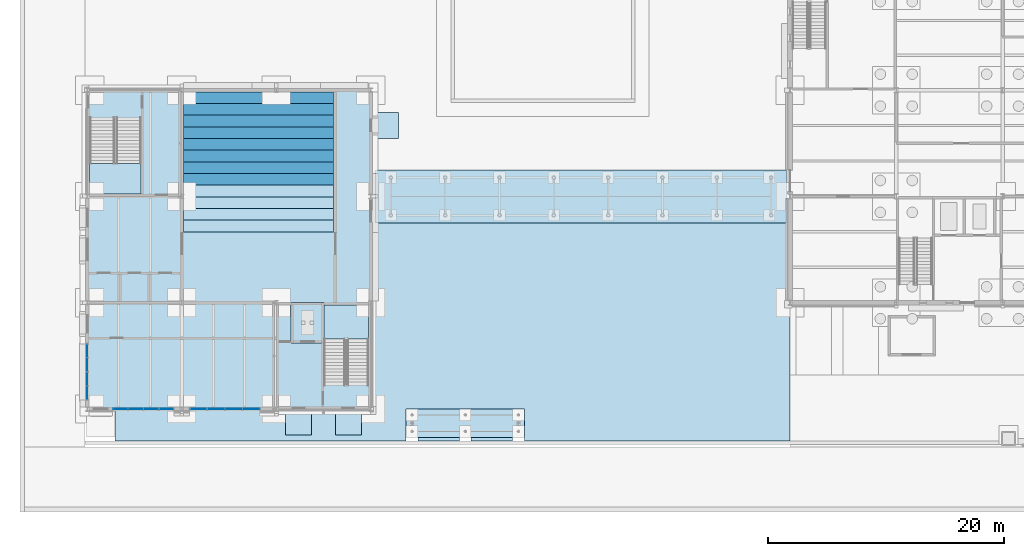
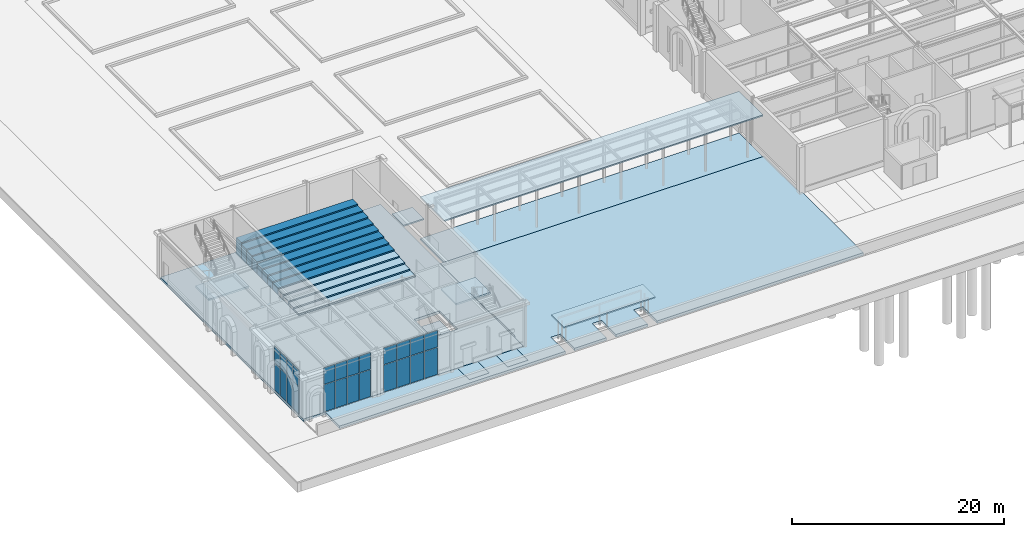
# One storey, part 58 of 126: 24 plates, 23 slabs, 5 elements without a shape of their own.
"""IFC4 building model written with IfcOpenShell, lengths in metres."""

from ifc_helpers import new_model, si_unit, direction, frame, origin, origin_2d, place, context, subcontext, project, spatial, polyline, rectangle, outline, extrude, material, layer, layer_set, type_object, element, aggregate, save


model = new_model("IFC4")

# Units and contexts
model_context = context("Model", 3, precision=1e-05, world=origin(), true_north=direction((0.0, 1.0)))
body_context = subcontext(model_context, "Body", "Model", "MODEL_VIEW")
ifc_project = project(units=[si_unit("LENGTHUNIT", "METRE"), si_unit("AREAUNIT", "SQUARE_METRE"), si_unit("VOLUMEUNIT", "CUBIC_METRE"), si_unit("PLANEANGLEUNIT", "RADIAN"), si_unit("MASSUNIT", "GRAM", prefix="KILO")], contexts=[model_context])

# Site, building, storey
site_placement = place(None, origin())
site = spatial("IfcSite", under=ifc_project, at=site_placement, CompositionType="ELEMENT")
building_placement = place(site_placement, origin())
building = spatial("IfcBuilding", under=site, at=building_placement, Name="Kallimachos Central Library", CompositionType="ELEMENT")
storey_placement = place(building_placement, origin())
storey = spatial("IfcBuildingStorey", under=building, at=storey_placement, Name="L00", CompositionType="ELEMENT", Elevation=0.0)

# Slabs
ifc_material_1 = material(Name="Composite slab C30/37 on steel deck", Category="concrete")
ifc_layer_1 = layer(ifc_material_1, 0.14990234375)
ifc_layer_set_1 = layer_set([ifc_layer_1], Name="Arcade roof slab 150")
slab_type_1 = type_object("IfcSlabType", Name="Arcade roof slab 150", PredefinedType="ROOF", material=ifc_layer_set_1)
slab_1_placement = place(storey_placement, frame((0.0, 0.0, 4.64990234375)))
element("IfcSlab", 1, at=slab_1_placement, inside=storey, type_object=slab_type_1, Name="Arcade A3 roof", PredefinedType="ROOF", context=body_context, shape_type="SweptSolid", body=[
    extrude(outline(polyline([(30.39990234375, 24.75), (65.199951171875, 24.75), (65.199951171875, 29.25), (30.39990234375, 29.25), (30.39990234375, 24.75)])), origin(), (0.0, 0.0, 1.0), 0.150146484375),
])
ifc_material_2 = material(Name="Composite slab C30/37 on steel deck", Category="concrete")
ifc_layer_2 = layer(ifc_material_2, 0.14990234375)
ifc_layer_set_2 = layer_set([ifc_layer_2], Name="Cycle shelter roof 150")
slab_type_2 = type_object("IfcSlabType", Name="Cycle shelter roof 150", PredefinedType="ROOF", material=ifc_layer_set_2)
slab_2_placement = place(storey_placement, frame((0.0, 0.0, 2.449951171875)))
element("IfcSlab", 2, at=slab_2_placement, inside=storey, type_object=slab_type_2, Name="Cycle shelter roof", PredefinedType="ROOF", context=body_context, shape_type="SweptSolid", body=[
    extrude(outline(polyline([(33.0, 6.60009765625), (43.0, 6.60009765625), (43.0, 9.0), (33.0, 9.0), (33.0, 6.60009765625)])), origin(), (0.0, 0.0, 1.0), 0.150146484375),
])
ifc_material_3 = material(Name="Concrete C30/37", Category="concrete")
ifc_layer_3 = layer(ifc_material_3, 0.300048828125)
ifc_layer_set_3 = layer_set([ifc_layer_3], Name="Ground floor slab 300")
slab_type_3 = type_object("IfcSlabType", Name="Ground floor slab 300", PredefinedType="BASESLAB", material=ifc_layer_set_3)
slab_3_placement = place(storey_placement, frame((0.0, 0.0, -0.300048828125)))
element("IfcSlab", 3, at=slab_3_placement, inside=storey, type_object=slab_type_3, Name="V6-SLB-L00-002", PredefinedType="BASESLAB", context=body_context, shape_type="SweptSolid", body=[
    extrude(outline(polyline([(30.0, 36.0), (30.0, 9.0), (6.0, 9.0), (6.0, 36.0), (30.0, 36.0)]), holes=[polyline([(26.050048828125, 18.0), (23.25, 18.0), (23.25, 14.60009765625), (26.050048828125, 14.60009765625), (26.050048828125, 18.0)]), polyline([(14.14990234375, 35.85009765625), (14.14990234375, 24.0), (26.85009765625, 24.0), (26.85009765625, 35.85009765625), (14.14990234375, 35.85009765625)])]), origin(), (0.0, 0.0, 1.0), 0.300048828125),
])
ifc_material_4 = material(Name="Concrete C30/37", Category="concrete")
ifc_layer_4 = layer(ifc_material_4, 1.050048828125)
ifc_layer_set_4 = layer_set([ifc_layer_4], Name="Hall tier slab 1050")
slab_type_4 = type_object("IfcSlabType", Name="Hall tier slab 1050", PredefinedType="BASESLAB", material=ifc_layer_set_4)
slab_4_placement = place(storey_placement, frame((0.0, 0.0, -0.300048828125)))
element("IfcSlab", 4, at=slab_4_placement, inside=storey, type_object=slab_type_4, Name="Hall tier 5", PredefinedType="BASESLAB", context=body_context, shape_type="SweptSolid", body=[
    extrude(outline(polyline([(14.14990234375, 27.949951171875), (26.85009765625, 27.949951171875), (26.85009765625, 28.9375), (14.14990234375, 28.9375), (14.14990234375, 27.949951171875)])), origin(), (0.0, 0.0, 1.0), 1.050048828125),
])
ifc_material_5 = material(Name="Concrete C30/37", Category="concrete")
ifc_layer_5 = layer(ifc_material_5, 1.199951171875)
ifc_layer_set_5 = layer_set([ifc_layer_5], Name="Hall tier slab 1200")
slab_type_5 = type_object("IfcSlabType", Name="Hall tier slab 1200", PredefinedType="BASESLAB", material=ifc_layer_set_5)
slab_5_placement = place(storey_placement, frame((0.0, 0.0, -0.300048828125)))
element("IfcSlab", 5, at=slab_5_placement, inside=storey, type_object=slab_type_5, Name="Hall tier 6", PredefinedType="BASESLAB", context=body_context, shape_type="SweptSolid", body=[
    extrude(outline(polyline([(14.14990234375, 28.9375), (26.85009765625, 28.9375), (26.85009765625, 29.925048828125), (14.14990234375, 29.925048828125), (14.14990234375, 28.9375)])), origin(), (0.0, 0.0, 1.0), 1.199951171875),
])
ifc_material_6 = material(Name="Concrete C30/37", Category="concrete")
ifc_layer_6 = layer(ifc_material_6, 1.35009765625)
ifc_layer_set_6 = layer_set([ifc_layer_6], Name="Hall tier slab 1350")
slab_type_6 = type_object("IfcSlabType", Name="Hall tier slab 1350", PredefinedType="BASESLAB", material=ifc_layer_set_6)
slab_6_placement = place(storey_placement, frame((0.0, 0.0, -0.300048828125)))
element("IfcSlab", 6, at=slab_6_placement, inside=storey, type_object=slab_type_6, Name="Hall tier 7", PredefinedType="BASESLAB", context=body_context, shape_type="SweptSolid", body=[
    extrude(outline(polyline([(14.14990234375, 29.925048828125), (26.85009765625, 29.925048828125), (26.85009765625, 30.91259765625), (14.14990234375, 30.91259765625), (14.14990234375, 29.925048828125)])), origin(), (0.0, 0.0, 1.0), 1.35009765625),
])
ifc_material_7 = material(Name="Concrete C30/37", Category="concrete")
ifc_layer_7 = layer(ifc_material_7, 1.5)
ifc_layer_set_7 = layer_set([ifc_layer_7], Name="Hall tier slab 1500")
slab_type_7 = type_object("IfcSlabType", Name="Hall tier slab 1500", PredefinedType="BASESLAB", material=ifc_layer_set_7)
slab_7_placement = place(storey_placement, frame((0.0, 0.0, -0.300048828125)))
element("IfcSlab", 7, at=slab_7_placement, inside=storey, type_object=slab_type_7, Name="Hall tier 8", PredefinedType="BASESLAB", context=body_context, shape_type="SweptSolid", body=[
    extrude(outline(polyline([(14.14990234375, 30.91259765625), (26.85009765625, 30.91259765625), (26.85009765625, 31.89990234375), (14.14990234375, 31.89990234375), (14.14990234375, 30.91259765625)])), origin(), (0.0, 0.0, 1.0), 1.5),
])
ifc_material_8 = material(Name="Concrete C30/37", Category="concrete")
ifc_layer_8 = layer(ifc_material_8, 1.64990234375)
ifc_layer_set_8 = layer_set([ifc_layer_8], Name="Hall tier slab 1650")
slab_type_8 = type_object("IfcSlabType", Name="Hall tier slab 1650", PredefinedType="BASESLAB", material=ifc_layer_set_8)
slab_8_placement = place(storey_placement, frame((0.0, 0.0, -0.300048828125)))
element("IfcSlab", 8, at=slab_8_placement, inside=storey, type_object=slab_type_8, Name="Hall tier 9", PredefinedType="BASESLAB", context=body_context, shape_type="SweptSolid", body=[
    extrude(outline(polyline([(14.14990234375, 31.89990234375), (26.85009765625, 31.89990234375), (26.85009765625, 32.887451171875), (14.14990234375, 32.887451171875), (14.14990234375, 31.89990234375)])), origin(), (0.0, 0.0, 1.0), 1.650146484375),
])
ifc_material_9 = material(Name="Concrete C30/37", Category="concrete")
ifc_layer_9 = layer(ifc_material_9, 1.800048828125)
ifc_layer_set_9 = layer_set([ifc_layer_9], Name="Hall tier slab 1800")
slab_type_9 = type_object("IfcSlabType", Name="Hall tier slab 1800", PredefinedType="BASESLAB", material=ifc_layer_set_9)
slab_9_placement = place(storey_placement, frame((0.0, 0.0, -0.300048828125)))
element("IfcSlab", 9, at=slab_9_placement, inside=storey, type_object=slab_type_9, Name="Hall tier 10", PredefinedType="BASESLAB", context=body_context, shape_type="SweptSolid", body=[
    extrude(outline(polyline([(14.14990234375, 32.887451171875), (26.85009765625, 32.887451171875), (26.85009765625, 33.875), (14.14990234375, 33.875), (14.14990234375, 32.887451171875)])), origin(), (0.0, 0.0, 1.0), 1.800048828125),
])
ifc_material_10 = material(Name="Concrete C30/37", Category="concrete")
ifc_layer_10 = layer(ifc_material_10, 1.949951171875)
ifc_layer_set_10 = layer_set([ifc_layer_10], Name="Hall tier slab 1950")
slab_type_10 = type_object("IfcSlabType", Name="Hall tier slab 1950", PredefinedType="BASESLAB", material=ifc_layer_set_10)
slab_10_placement = place(storey_placement, frame((0.0, 0.0, -0.300048828125)))
element("IfcSlab", 10, at=slab_10_placement, inside=storey, type_object=slab_type_10, Name="Hall tier 11", PredefinedType="BASESLAB", context=body_context, shape_type="SweptSolid", body=[
    extrude(outline(polyline([(14.14990234375, 33.875), (26.85009765625, 33.875), (26.85009765625, 34.862548828125), (14.14990234375, 34.862548828125), (14.14990234375, 33.875)])), origin(), (0.0, 0.0, 1.0), 1.949951171875),
])
ifc_material_11 = material(Name="Concrete C30/37", Category="concrete")
ifc_layer_11 = layer(ifc_material_11, 2.10009765625)
ifc_layer_set_11 = layer_set([ifc_layer_11], Name="Hall tier slab 2100")
slab_type_11 = type_object("IfcSlabType", Name="Hall tier slab 2100", PredefinedType="BASESLAB", material=ifc_layer_set_11)
slab_11_placement = place(storey_placement, frame((0.0, 0.0, -0.300048828125)))
element("IfcSlab", 11, at=slab_11_placement, inside=storey, type_object=slab_type_11, Name="Hall tier 12", PredefinedType="BASESLAB", context=body_context, shape_type="SweptSolid", body=[
    extrude(outline(polyline([(14.14990234375, 34.862548828125), (26.85009765625, 34.862548828125), (26.85009765625, 35.85009765625), (14.14990234375, 35.85009765625), (14.14990234375, 34.862548828125)])), origin(), (0.0, 0.0, 1.0), 2.10009765625),
])
ifc_material_12 = material(Name="Concrete C30/37", Category="concrete")
ifc_layer_12 = layer(ifc_material_12, 0.449951171875)
ifc_layer_set_12 = layer_set([ifc_layer_12], Name="Hall tier slab 450")
slab_type_12 = type_object("IfcSlabType", Name="Hall tier slab 450", PredefinedType="BASESLAB", material=ifc_layer_set_12)
slab_12_placement = place(storey_placement, frame((0.0, 0.0, -0.300048828125)))
element("IfcSlab", 12, at=slab_12_placement, inside=storey, type_object=slab_type_12, Name="Hall tier 1", PredefinedType="BASESLAB", context=body_context, shape_type="SweptSolid", body=[
    extrude(outline(polyline([(14.14990234375, 24.0), (26.85009765625, 24.0), (26.85009765625, 24.987548828125), (14.14990234375, 24.987548828125), (14.14990234375, 24.0)])), origin(), (0.0, 0.0, 1.0), 0.449951171875),
])
ifc_material_13 = material(Name="Concrete C30/37", Category="concrete")
ifc_layer_13 = layer(ifc_material_13, 0.60009765625)
ifc_layer_set_13 = layer_set([ifc_layer_13], Name="Hall tier slab 600")
slab_type_13 = type_object("IfcSlabType", Name="Hall tier slab 600", PredefinedType="BASESLAB", material=ifc_layer_set_13)
slab_13_placement = place(storey_placement, frame((0.0, 0.0, -0.300048828125)))
element("IfcSlab", 13, at=slab_13_placement, inside=storey, type_object=slab_type_13, Name="Hall tier 2", PredefinedType="BASESLAB", context=body_context, shape_type="SweptSolid", body=[
    extrude(outline(polyline([(14.14990234375, 24.987548828125), (26.85009765625, 24.987548828125), (26.85009765625, 25.97509765625), (14.14990234375, 25.97509765625), (14.14990234375, 24.987548828125)])), origin(), (0.0, 0.0, 1.0), 0.60009765625),
])
ifc_material_14 = material(Name="Concrete C30/37", Category="concrete")
ifc_layer_14 = layer(ifc_material_14, 0.75)
ifc_layer_set_14 = layer_set([ifc_layer_14], Name="Hall tier slab 750")
slab_type_14 = type_object("IfcSlabType", Name="Hall tier slab 750", PredefinedType="BASESLAB", material=ifc_layer_set_14)
slab_14_placement = place(storey_placement, frame((0.0, 0.0, -0.300048828125)))
element("IfcSlab", 14, at=slab_14_placement, inside=storey, type_object=slab_type_14, Name="Hall tier 3", PredefinedType="BASESLAB", context=body_context, shape_type="SweptSolid", body=[
    extrude(outline(polyline([(14.14990234375, 25.97509765625), (26.85009765625, 25.97509765625), (26.85009765625, 26.96240234375), (14.14990234375, 26.96240234375), (14.14990234375, 25.97509765625)])), origin(), (0.0, 0.0, 1.0), 0.75),
])
ifc_material_15 = material(Name="Concrete C30/37", Category="concrete")
ifc_layer_15 = layer(ifc_material_15, 0.89990234375)
ifc_layer_set_15 = layer_set([ifc_layer_15], Name="Hall tier slab 900")
slab_type_15 = type_object("IfcSlabType", Name="Hall tier slab 900", PredefinedType="BASESLAB", material=ifc_layer_set_15)
slab_15_placement = place(storey_placement, frame((0.0, 0.0, -0.300048828125)))
element("IfcSlab", 15, at=slab_15_placement, inside=storey, type_object=slab_type_15, Name="Hall tier 4", PredefinedType="BASESLAB", context=body_context, shape_type="SweptSolid", body=[
    extrude(outline(polyline([(14.14990234375, 26.96240234375), (26.85009765625, 26.96240234375), (26.85009765625, 27.949951171875), (14.14990234375, 27.949951171875), (14.14990234375, 26.96240234375)])), origin(), (0.0, 0.0, 1.0), 0.900146484375),
])

# Curtain wall, plates
ifc_material_16 = material(Name="Aluminium and laminated glass", Category="aluminium")
curtain_wall_type = type_object("IfcCurtainWallType", Name="Shopfront curtain wall", PredefinedType="NOTDEFINED", material=ifc_material_16)
curtain_wall_1_placement = place(storey_placement, origin())
curtain_wall_1 = element("IfcCurtainWall", 16, at=curtain_wall_1_placement, inside=storey, type_object=curtain_wall_type, Name="V6-CWL-L00-001", PredefinedType="NOTDEFINED")
ifc_material_17 = material(Name="Laminated glass", Category="glass")
ifc_layer_16 = layer(ifc_material_17, 0.028076171875)
ifc_layer_set_16 = layer_set([ifc_layer_16], Name="Laminated glass panel 28")
plate_type = type_object("IfcPlateType", Name="Laminated glass panel 28", PredefinedType="CURTAIN_PANEL", material=ifc_layer_set_16)
plate_1_placement = place(storey_placement, frame((8.81494140625, 9.0, 0.06005859375), z_axis=(0.0, 0.0, 1.0), x_axis=(1.0, 0.0, 0.0)))
plate_1 = element("IfcPlate", 17, at=plate_1_placement, type_object=plate_type, Name="CW panel 1.1", PredefinedType="CURTAIN_PANEL", context=body_context, shape_type="SweptSolid", body=[
    extrude(rectangle(XDim=1.2099609375, YDim=0.028076171875, at=origin_2d()), origin(), (0.0, 0.0, 1.0), 3.110107421875),
])
plate_2_placement = place(storey_placement, frame((8.81494140625, 9.0, 3.22998046875), z_axis=(0.0, 0.0, 1.0), x_axis=(1.0, 0.0, 0.0)))
plate_2 = element("IfcPlate", 18, at=plate_2_placement, type_object=plate_type, Name="CW panel 1.2", PredefinedType="CURTAIN_PANEL", context=body_context, shape_type="SweptSolid", body=[
    extrude(rectangle(XDim=1.2099609375, YDim=0.028076171875, at=origin_2d()), origin(), (0.0, 0.0, 1.0), 1.909912109375),
])
plate_3_placement = place(storey_placement, frame((10.10009765625, 9.0, 0.06005859375), z_axis=(0.0, 0.0, 1.0), x_axis=(1.0, 0.0, 0.0)))
plate_3 = element("IfcPlate", 19, at=plate_3_placement, type_object=plate_type, Name="CW panel 2.1", PredefinedType="CURTAIN_PANEL", context=body_context, shape_type="SweptSolid", body=[
    extrude(rectangle(XDim=1.239990234375, YDim=0.028076171875, at=origin_2d()), origin(), (0.0, 0.0, 1.0), 3.110107421875),
])
plate_4_placement = place(storey_placement, frame((10.10009765625, 9.0, 3.22998046875), z_axis=(0.0, 0.0, 1.0), x_axis=(1.0, 0.0, 0.0)))
plate_4 = element("IfcPlate", 20, at=plate_4_placement, type_object=plate_type, Name="CW panel 2.2", PredefinedType="CURTAIN_PANEL", context=body_context, shape_type="SweptSolid", body=[
    extrude(rectangle(XDim=1.239990234375, YDim=0.028076171875, at=origin_2d()), origin(), (0.0, 0.0, 1.0), 1.909912109375),
])
plate_5_placement = place(storey_placement, frame((11.39990234375, 9.0, 0.06005859375), z_axis=(0.0, 0.0, 1.0), x_axis=(1.0, 0.0, 0.0)))
plate_5 = element("IfcPlate", 21, at=plate_5_placement, type_object=plate_type, Name="CW panel 3.1", PredefinedType="CURTAIN_PANEL", context=body_context, shape_type="SweptSolid", body=[
    extrude(rectangle(XDim=1.239990234375, YDim=0.028076171875, at=origin_2d()), origin(), (0.0, 0.0, 1.0), 3.110107421875),
])
plate_6_placement = place(storey_placement, frame((11.39990234375, 9.0, 3.22998046875), z_axis=(0.0, 0.0, 1.0), x_axis=(1.0, 0.0, 0.0)))
plate_6 = element("IfcPlate", 22, at=plate_6_placement, type_object=plate_type, Name="CW panel 3.2", PredefinedType="CURTAIN_PANEL", context=body_context, shape_type="SweptSolid", body=[
    extrude(rectangle(XDim=1.239990234375, YDim=0.028076171875, at=origin_2d()), origin(), (0.0, 0.0, 1.0), 1.909912109375),
])
plate_7_placement = place(storey_placement, frame((12.68505859375, 9.0, 0.06005859375), z_axis=(0.0, 0.0, 1.0), x_axis=(1.0, 0.0, 0.0)))
plate_7 = element("IfcPlate", 23, at=plate_7_placement, type_object=plate_type, Name="CW panel 4.1", PredefinedType="CURTAIN_PANEL", context=body_context, shape_type="SweptSolid", body=[
    extrude(rectangle(XDim=1.2099609375, YDim=0.028076171875, at=origin_2d()), origin(), (0.0, 0.0, 1.0), 3.110107421875),
])
plate_8_placement = place(storey_placement, frame((12.68505859375, 9.0, 3.22998046875), z_axis=(0.0, 0.0, 1.0), x_axis=(1.0, 0.0, 0.0)))
plate_8 = element("IfcPlate", 24, at=plate_8_placement, type_object=plate_type, Name="CW panel 4.2", PredefinedType="CURTAIN_PANEL", context=body_context, shape_type="SweptSolid", body=[
    extrude(rectangle(XDim=1.2099609375, YDim=0.028076171875, at=origin_2d()), origin(), (0.0, 0.0, 1.0), 1.909912109375),
])
aggregate(curtain_wall_1, [plate_1, plate_2, plate_3, plate_4, plate_5, plate_6, plate_7, plate_8])

curtain_wall_2_placement = place(storey_placement, origin())
curtain_wall_2 = element("IfcCurtainWall", 25, at=curtain_wall_2_placement, inside=storey, type_object=curtain_wall_type, Name="V6-CWL-L00-002", PredefinedType="NOTDEFINED")
plate_9_placement = place(storey_placement, frame((15.4150390625, 9.0, 0.06005859375), z_axis=(0.0, 0.0, 1.0), x_axis=(1.0, 0.0, 0.0)))
plate_9 = element("IfcPlate", 26, at=plate_9_placement, type_object=plate_type, Name="CW panel 1.1", PredefinedType="CURTAIN_PANEL", context=body_context, shape_type="SweptSolid", body=[
    extrude(rectangle(XDim=1.409912109375, YDim=0.028076171875, at=origin_2d()), origin(), (0.0, 0.0, 1.0), 3.110107421875),
])
plate_10_placement = place(storey_placement, frame((15.4150390625, 9.0, 3.22998046875), z_axis=(0.0, 0.0, 1.0), x_axis=(1.0, 0.0, 0.0)))
plate_10 = element("IfcPlate", 27, at=plate_10_placement, type_object=plate_type, Name="CW panel 1.2", PredefinedType="CURTAIN_PANEL", context=body_context, shape_type="SweptSolid", body=[
    extrude(rectangle(XDim=1.409912109375, YDim=0.028076171875, at=origin_2d()), origin(), (0.0, 0.0, 1.0), 1.909912109375),
])
plate_11_placement = place(storey_placement, frame((16.89990234375, 9.0, 0.06005859375), z_axis=(0.0, 0.0, 1.0), x_axis=(1.0, 0.0, 0.0)))
plate_11 = element("IfcPlate", 28, at=plate_11_placement, type_object=plate_type, Name="CW panel 2.1", PredefinedType="CURTAIN_PANEL", context=body_context, shape_type="SweptSolid", body=[
    extrude(rectangle(XDim=1.43994140625, YDim=0.028076171875, at=origin_2d()), origin(), (0.0, 0.0, 1.0), 3.110107421875),
])
plate_12_placement = place(storey_placement, frame((16.89990234375, 9.0, 3.22998046875), z_axis=(0.0, 0.0, 1.0), x_axis=(1.0, 0.0, 0.0)))
plate_12 = element("IfcPlate", 29, at=plate_12_placement, type_object=plate_type, Name="CW panel 2.2", PredefinedType="CURTAIN_PANEL", context=body_context, shape_type="SweptSolid", body=[
    extrude(rectangle(XDim=1.43994140625, YDim=0.028076171875, at=origin_2d()), origin(), (0.0, 0.0, 1.0), 1.909912109375),
])
plate_13_placement = place(storey_placement, frame((18.39990234375, 9.0, 0.06005859375), z_axis=(0.0, 0.0, 1.0), x_axis=(1.0, 0.0, 0.0)))
plate_13 = element("IfcPlate", 30, at=plate_13_placement, type_object=plate_type, Name="CW panel 3.1", PredefinedType="CURTAIN_PANEL", context=body_context, shape_type="SweptSolid", body=[
    extrude(rectangle(XDim=1.43994140625, YDim=0.028076171875, at=origin_2d()), origin(), (0.0, 0.0, 1.0), 3.110107421875),
])
plate_14_placement = place(storey_placement, frame((18.39990234375, 9.0, 3.22998046875), z_axis=(0.0, 0.0, 1.0), x_axis=(1.0, 0.0, 0.0)))
plate_14 = element("IfcPlate", 31, at=plate_14_placement, type_object=plate_type, Name="CW panel 3.2", PredefinedType="CURTAIN_PANEL", context=body_context, shape_type="SweptSolid", body=[
    extrude(rectangle(XDim=1.43994140625, YDim=0.028076171875, at=origin_2d()), origin(), (0.0, 0.0, 1.0), 1.909912109375),
])
plate_15_placement = place(storey_placement, frame((19.885009765625, 9.0, 0.06005859375), z_axis=(0.0, 0.0, 1.0), x_axis=(1.0, 0.0, 0.0)))
plate_15 = element("IfcPlate", 32, at=plate_15_placement, type_object=plate_type, Name="CW panel 4.1", PredefinedType="CURTAIN_PANEL", context=body_context, shape_type="SweptSolid", body=[
    extrude(rectangle(XDim=1.409912109375, YDim=0.028076171875, at=origin_2d()), origin(), (0.0, 0.0, 1.0), 3.110107421875),
])
plate_16_placement = place(storey_placement, frame((19.885009765625, 9.0, 3.22998046875), z_axis=(0.0, 0.0, 1.0), x_axis=(1.0, 0.0, 0.0)))
plate_16 = element("IfcPlate", 33, at=plate_16_placement, type_object=plate_type, Name="CW panel 4.2", PredefinedType="CURTAIN_PANEL", context=body_context, shape_type="SweptSolid", body=[
    extrude(rectangle(XDim=1.409912109375, YDim=0.028076171875, at=origin_2d()), origin(), (0.0, 0.0, 1.0), 1.909912109375),
])
aggregate(curtain_wall_2, [plate_9, plate_10, plate_11, plate_12, plate_13, plate_14, plate_15, plate_16])

curtain_wall_3_placement = place(storey_placement, origin())
curtain_wall_3 = element("IfcCurtainWall", 34, at=curtain_wall_3_placement, inside=storey, type_object=curtain_wall_type, Name="V6-CWL-L00-003", PredefinedType="NOTDEFINED")
plate_17_placement = place(storey_placement, frame((6.0, 10.364990234375, 0.06005859375), z_axis=(0.0, 0.0, 1.0), x_axis=(0.0, 1.0, 0.0)))
plate_17 = element("IfcPlate", 35, at=plate_17_placement, type_object=plate_type, Name="CW panel 1.1", PredefinedType="CURTAIN_PANEL", context=body_context, shape_type="SweptSolid", body=[
    extrude(rectangle(XDim=1.110107421875, YDim=0.028076171875, at=origin_2d()), origin(), (0.0, 0.0, 1.0), 3.110107421875),
])
plate_18_placement = place(storey_placement, frame((6.0, 10.364990234375, 3.22998046875), z_axis=(0.0, 0.0, 1.0), x_axis=(0.0, 1.0, 0.0)))
plate_18 = element("IfcPlate", 36, at=plate_18_placement, type_object=plate_type, Name="CW panel 1.2", PredefinedType="CURTAIN_PANEL", context=body_context, shape_type="SweptSolid", body=[
    extrude(rectangle(XDim=1.110107421875, YDim=0.028076171875, at=origin_2d()), origin(), (0.0, 0.0, 1.0), 1.909912109375),
])
plate_19_placement = place(storey_placement, frame((6.0, 11.550048828125, 0.06005859375), z_axis=(0.0, 0.0, 1.0), x_axis=(0.0, 1.0, 0.0)))
plate_19 = element("IfcPlate", 37, at=plate_19_placement, type_object=plate_type, Name="CW panel 2.1", PredefinedType="CURTAIN_PANEL", context=body_context, shape_type="SweptSolid", body=[
    extrude(rectangle(XDim=1.139892578125, YDim=0.028076171875, at=origin_2d()), origin(), (0.0, 0.0, 1.0), 3.110107421875),
])
plate_20_placement = place(storey_placement, frame((6.0, 11.550048828125, 3.22998046875), z_axis=(0.0, 0.0, 1.0), x_axis=(0.0, 1.0, 0.0)))
plate_20 = element("IfcPlate", 38, at=plate_20_placement, type_object=plate_type, Name="CW panel 2.2", PredefinedType="CURTAIN_PANEL", context=body_context, shape_type="SweptSolid", body=[
    extrude(rectangle(XDim=1.139892578125, YDim=0.028076171875, at=origin_2d()), origin(), (0.0, 0.0, 1.0), 1.909912109375),
])
plate_21_placement = place(storey_placement, frame((6.0, 12.75, 0.06005859375), z_axis=(0.0, 0.0, 1.0), x_axis=(0.0, 1.0, 0.0)))
plate_21 = element("IfcPlate", 39, at=plate_21_placement, type_object=plate_type, Name="CW panel 3.1", PredefinedType="CURTAIN_PANEL", context=body_context, shape_type="SweptSolid", body=[
    extrude(rectangle(XDim=1.139892578125, YDim=0.028076171875, at=origin_2d()), origin(), (0.0, 0.0, 1.0), 3.110107421875),
])
plate_22_placement = place(storey_placement, frame((6.0, 12.75, 3.22998046875), z_axis=(0.0, 0.0, 1.0), x_axis=(0.0, 1.0, 0.0)))
plate_22 = element("IfcPlate", 40, at=plate_22_placement, type_object=plate_type, Name="CW panel 3.2", PredefinedType="CURTAIN_PANEL", context=body_context, shape_type="SweptSolid", body=[
    extrude(rectangle(XDim=1.139892578125, YDim=0.028076171875, at=origin_2d()), origin(), (0.0, 0.0, 1.0), 1.909912109375),
])
plate_23_placement = place(storey_placement, frame((6.0, 13.93505859375, 0.06005859375), z_axis=(0.0, 0.0, 1.0), x_axis=(0.0, 1.0, 0.0)))
plate_23 = element("IfcPlate", 41, at=plate_23_placement, type_object=plate_type, Name="CW panel 4.1", PredefinedType="CURTAIN_PANEL", context=body_context, shape_type="SweptSolid", body=[
    extrude(rectangle(XDim=1.110107421875, YDim=0.028076171875, at=origin_2d()), origin(), (0.0, 0.0, 1.0), 3.110107421875),
])
plate_24_placement = place(storey_placement, frame((6.0, 13.93505859375, 3.22998046875), z_axis=(0.0, 0.0, 1.0), x_axis=(0.0, 1.0, 0.0)))
plate_24 = element("IfcPlate", 42, at=plate_24_placement, type_object=plate_type, Name="CW panel 4.2", PredefinedType="CURTAIN_PANEL", context=body_context, shape_type="SweptSolid", body=[
    extrude(rectangle(XDim=1.110107421875, YDim=0.028076171875, at=origin_2d()), origin(), (0.0, 0.0, 1.0), 1.909912109375),
])
aggregate(curtain_wall_3, [plate_17, plate_18, plate_19, plate_20, plate_21, plate_22, plate_23, plate_24])

# Slabs
ifc_material_18 = material(Name="Concrete C30/37", Category="concrete")
ifc_layer_17 = layer(ifc_material_18, 0.300048828125)
ifc_layer_set_17 = layer_set([ifc_layer_17], Name="Lift pit slab 300")
slab_type_16 = type_object("IfcSlabType", Name="Lift pit slab 300", PredefinedType="BASESLAB", material=ifc_layer_set_17)
slab_16_placement = place(storey_placement, frame((0.0, 0.0, -1.39990234375)))
element("IfcSlab", 43, at=slab_16_placement, inside=storey, type_object=slab_type_16, Name="V6-SLB-L00-001", PredefinedType="BASESLAB", context=body_context, shape_type="SweptSolid", body=[
    extrude(outline(polyline([(23.25, 14.60009765625), (26.050048828125, 14.60009765625), (26.050048828125, 18.0), (23.25, 18.0), (23.25, 14.60009765625)])), origin(), (0.0, 0.0, 1.0), 0.2998046875),
])
ifc_material_19 = material(Name="Concrete C30/37", Category="concrete")
ifc_layer_18 = layer(ifc_material_19, 0.14990234375)
ifc_layer_set_18 = layer_set([ifc_layer_18], Name="Paving slab 150")
slab_type_17 = type_object("IfcSlabType", Name="Paving slab 150", PredefinedType="BASESLAB", material=ifc_layer_set_18)
slab_17_placement = place(storey_placement, frame((0.0, 0.0, -0.14990234375)))
element("IfcSlab", 44, at=slab_17_placement, inside=storey, type_object=slab_type_17, Name="Arcade A3 Paving", PredefinedType="BASESLAB", context=body_context, shape_type="SweptSolid", body=[
    extrude(outline(polyline([(30.39990234375, 24.75), (30.39990234375, 29.25), (65.199951171875, 29.25), (65.199951171875, 24.75), (30.39990234375, 24.75)])), origin(), (0.0, 0.0, 1.0), 0.14990234375),
])
slab_18_placement = place(storey_placement, frame((0.0, 0.0, -0.14990234375)))
element("IfcSlab", 45, at=slab_18_placement, inside=storey, type_object=slab_type_17, Name="Door Apron V6-DOR-L00-005", PredefinedType="BASESLAB", context=body_context, shape_type="SweptSolid", body=[
    extrude(outline(polyline([(32.35009765625, 34.10009765625), (32.35009765625, 31.89990234375), (30.14990234375, 31.89990234375), (30.14990234375, 34.10009765625), (32.35009765625, 34.10009765625)])), origin(), (0.0, 0.0, 1.0), 0.14990234375),
])
slab_19_placement = place(storey_placement, frame((0.0, 0.0, -0.14990234375)))
element("IfcSlab", 46, at=slab_19_placement, inside=storey, type_object=slab_type_17, Name="Door Apron V6-DOR-L00-012", PredefinedType="BASESLAB", context=body_context, shape_type="SweptSolid", body=[
    extrude(outline(polyline([(25.0, 6.800048828125), (22.800048828125, 6.800048828125), (22.800048828125, 9.0), (25.0, 9.0), (25.0, 6.800048828125)])), origin(), (0.0, 0.0, 1.0), 0.14990234375),
])
slab_20_placement = place(storey_placement, frame((0.0, 0.0, -0.14990234375)))
element("IfcSlab", 47, at=slab_20_placement, inside=storey, type_object=slab_type_17, Name="Door Apron V6-DOR-L00-013", PredefinedType="BASESLAB", context=body_context, shape_type="SweptSolid", body=[
    extrude(outline(polyline([(29.199951171875, 6.800048828125), (27.0, 6.800048828125), (27.0, 9.0), (29.199951171875, 9.0), (29.199951171875, 6.800048828125)])), origin(), (0.0, 0.0, 1.0), 0.14990234375),
])
ifc_material_20 = material(Name="Topsoil and planting")
ifc_layer_19 = layer(ifc_material_20, 0.300048828125)
ifc_layer_set_19 = layer_set([ifc_layer_19], Name="Planted ground 300")
slab_type_18 = type_object("IfcSlabType", Name="Planted ground 300", PredefinedType="BASESLAB", material=ifc_layer_set_19)
slab_21_placement = place(storey_placement, frame((0.0, 0.0, -0.300048828125)))
element("IfcSlab", 48, at=slab_21_placement, inside=storey, type_object=slab_type_18, Name="Street Verge Planting 1", PredefinedType="BASESLAB", context=body_context, shape_type="SweptSolid", body=[
    extrude(outline(polyline([(8.35009765625, 6.300048828125), (8.35009765625, 9.0), (22.800048828125, 9.0), (22.800048828125, 6.800048828125), (25.0, 6.800048828125), (25.0, 9.0), (27.0, 9.0), (27.0, 6.800048828125), (29.199951171875, 6.800048828125), (29.199951171875, 9.0), (30.0, 9.0), (30.0, 10.680908203125), (30.059326171875, 10.746337890625), (30.08251953125, 10.77783203125), (30.102783203125, 10.8115234375), (30.11962890625, 10.846923828125), (30.1328125, 10.8837890625), (30.142333984375, 10.921875), (30.148193359375, 10.960693359375), (30.14990234375, 11.0), (30.14990234375, 14.919921875), (30.148193359375, 14.959228515625), (30.142333984375, 14.998046875), (30.1328125, 15.0361328125), (30.11962890625, 15.072998046875), (30.102783203125, 15.108642578125), (30.08251953125, 15.142333984375), (30.059326171875, 15.173828125), (30.0, 15.239013671875), (30.0, 24.75), (65.300048828125, 24.75), (65.300048828125, 17.800048828125), (65.5, 17.800048828125), (65.5, 6.300048828125), (43.0, 6.300048828125), (43.0, 9.0), (42.0, 9.0), (42.0, 6.300048828125), (38.5, 6.300048828125), (38.5, 9.0), (37.5, 9.0), (37.5, 6.300048828125), (34.0, 6.300048828125), (34.0, 9.0), (33.0, 9.0), (33.0, 6.300048828125), (8.35009765625, 6.300048828125)])), origin(), (0.0, 0.0, 1.0), 0.300048828125),
])

# Stair, slab
ifc_material_21 = material(Name="Concrete C30/37", Category="concrete")
stair_type = type_object("IfcStairType", Name="Escape stair", PredefinedType="HALF_TURN_STAIR", material=ifc_material_21)
stair_1_placement = place(storey_placement, origin())
stair_1 = element("IfcStair", 49, at=stair_1_placement, inside=storey, type_object=stair_type, Name="L00 stair ST17", PredefinedType="HALF_TURN_STAIR")
ifc_material_22 = material(Name="Concrete C30/37", Category="concrete")
ifc_layer_20 = layer(ifc_material_22, 0.199951171875)
ifc_layer_set_20 = layer_set([ifc_layer_20], Name="Stair landing")
slab_type_19 = type_object("IfcSlabType", Name="Stair landing", PredefinedType="LANDING", material=ifc_layer_set_20)
slab_22_placement = place(storey_placement, frame((0.0, 0.0, 2.5)))
slab_22 = element("IfcSlab", 50, at=slab_22_placement, type_object=slab_type_19, Name="ST17 landing 1", PredefinedType="LANDING", context=body_context, shape_type="SweptSolid", body=[
    extrude(outline(polyline([(29.800048828125, 14.919921875), (29.800048828125, 17.800048828125), (26.050048828125, 17.800048828125), (26.050048828125, 14.919921875), (29.800048828125, 14.919921875)])), origin(), (0.0, 0.0, 1.0), 0.199951171875),
])
aggregate(stair_1, [slab_22])

stair_2_placement = place(storey_placement, origin())
stair_2 = element("IfcStair", 51, at=stair_2_placement, inside=storey, type_object=stair_type, Name="L00 stair ST18", PredefinedType="HALF_TURN_STAIR")
slab_23_placement = place(storey_placement, frame((0.0, 0.0, 2.5)))
slab_23 = element("IfcSlab", 52, at=slab_23_placement, type_object=slab_type_19, Name="ST18 landing 1", PredefinedType="LANDING", context=body_context, shape_type="SweptSolid", body=[
    extrude(outline(polyline([(6.199951171875, 29.780029296875), (6.199951171875, 27.199951171875), (10.550048828125, 27.199951171875), (10.550048828125, 29.780029296875), (6.199951171875, 29.780029296875)])), origin(), (0.0, 0.0, 1.0), 0.199951171875),
])
aggregate(stair_2, [slab_23])

save(model, "model.ifc")
